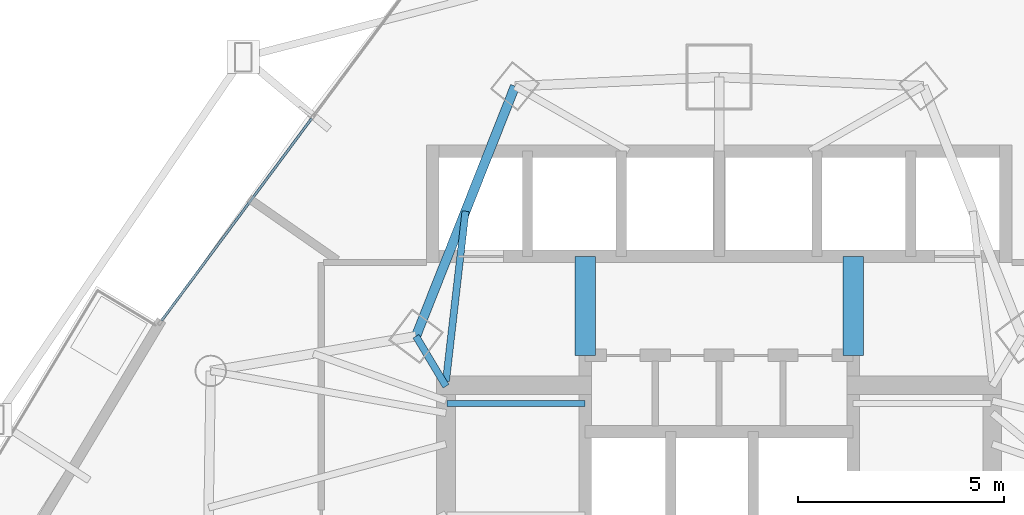
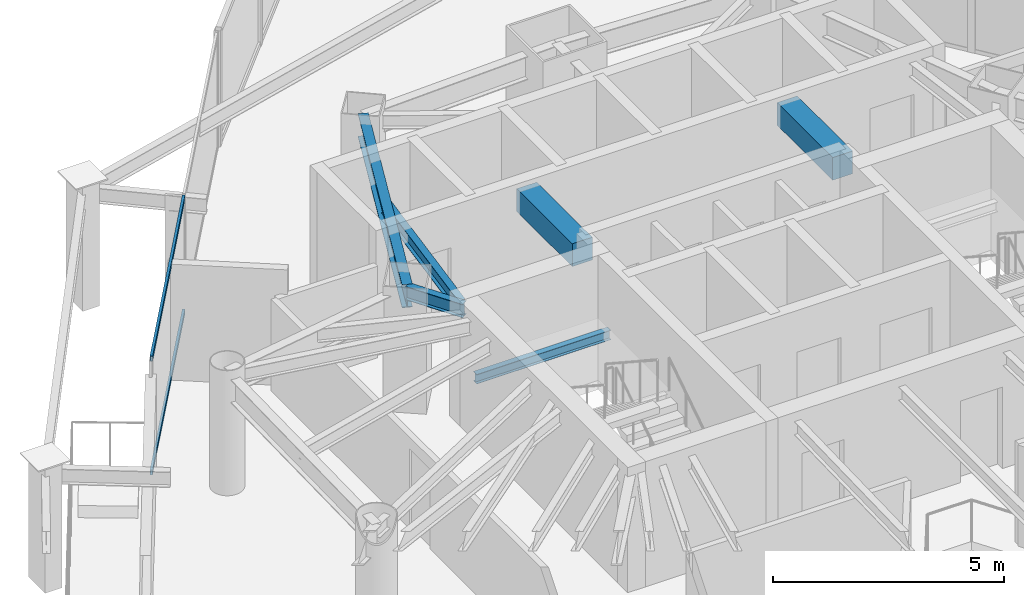
# One storey, part 20 of 33: 6 beams, 2 members, 1 element without a shape of its own.
"""IFC4 building model written with IfcOpenShell, lengths in metres."""

import ifcopenshell
import ifcopenshell.guid

model = None  # the IFC model being written
_history = None  # IfcOwnerHistory: only IFC2X3 demands one
_inside = {}  # id of a spatial element -> (the spatial element, [elements in it])
_under = {}  # id of a project, library or spatial element -> (it, [spatial elements below it])
_declared = {}  # id of a project -> (the project, [libraries it declares])
_typed = {}  # id of a type object -> (the type object, [elements of that type])
_made_of = {}  # id of a material, layer set ... -> (it, [elements and type objects made of it])


def new_model(schema):
    """Start an empty IFC model of exactly this schema.

    Asked for "IFC4X3", IfcOpenShell would pick the latest addendum, in which some entities
    have other attributes; the version numbers below select the first issue.
    IFC2X3 requires an IfcOwnerHistory on every rooted entity: one is made here for all.
    """
    global model, _history
    if schema == "IFC4X3":
        model = ifcopenshell.file(schema_version=(4, 3, 0, 0))
    else:
        model = ifcopenshell.file(schema=schema)
    _inside.clear()
    _under.clear()
    _declared.clear()
    _typed.clear()
    _made_of.clear()
    _history = None
    if model.schema == "IFC2X3":
        org = make("IfcOrganization", Name="unknown")
        user = make(
            "IfcPersonAndOrganization",
            ThePerson=make("IfcPerson", FamilyName="unknown"),
            TheOrganization=org,
        )
        app = make(
            "IfcApplication",
            ApplicationDeveloper=org,
            Version="unknown",
            ApplicationFullName="unknown",
            ApplicationIdentifier="unknown",
        )
        _history = make(
            "IfcOwnerHistory",
            OwningUser=user,
            OwningApplication=app,
            ChangeAction="ADDED",
            CreationDate=0,
        )
    return model


def make(cls, **values):
    """One entity of the class cls with the attributes given. An attribute that is None is left unset."""
    return model.create_entity(
        cls, **{name: value for name, value in values.items() if value is not None}
    )


def rooted(cls, **values):
    """An entity with a GlobalId (a new one), such as an element, a storey or a relation."""
    return make(cls, GlobalId=ifcopenshell.guid.new(), OwnerHistory=_history, **values)


def si_unit(unit_type, name, prefix=None):
    """IfcSIUnit, for example si_unit("LENGTHUNIT", "METRE", prefix="MILLI")."""
    return make("IfcSIUnit", UnitType=unit_type, Prefix=prefix, Name=name)


def assignment(units):
    """IfcUnitAssignment: the units of a project."""
    return None if units is None else make("IfcUnitAssignment", Units=units)


def point(xyz):
    """IfcCartesianPoint."""
    return None if xyz is None else make("IfcCartesianPoint", Coordinates=xyz)


def direction(xyz):
    """IfcDirection."""
    return None if xyz is None else make("IfcDirection", DirectionRatios=xyz)


def frame(location, z_axis=None, x_axis=None):
    """IfcAxis2Placement3D, a coordinate frame: its origin and axes. An axis left out is left unset."""
    return make(
        "IfcAxis2Placement3D",
        Location=point(location),
        Axis=direction(z_axis),
        RefDirection=direction(x_axis),
    )


def frame_2d(location, x_axis=None):
    """IfcAxis2Placement2D, a coordinate frame in the plane: its origin and x axis."""
    return make(
        "IfcAxis2Placement2D", Location=point(location), RefDirection=direction(x_axis)
    )


def origin():
    """The frame at (0, 0, 0) with its axes left unset."""
    return frame((0.0, 0.0, 0.0))


def origin_2d():
    """The frame at (0, 0) in the plane with its x axis left unset."""
    return frame_2d((0.0, 0.0))


def place(relative_to, where):
    """IfcLocalPlacement: puts the frame where relative to a parent placement (None: the world)."""
    return make(
        "IfcLocalPlacement", PlacementRelTo=relative_to, RelativePlacement=where
    )


def context(
    kind, dimensions, precision=None, world=None, true_north=None, identifier=None
):
    """IfcGeometricRepresentationContext, for example the 3D "Model" context."""
    return make(
        "IfcGeometricRepresentationContext",
        ContextIdentifier=identifier,
        ContextType=kind,
        CoordinateSpaceDimension=dimensions,
        Precision=precision,
        WorldCoordinateSystem=world,
        TrueNorth=true_north,
    )


def subcontext(parent, identifier, kind, view, scale=None):
    """IfcGeometricRepresentationSubContext, for example "Body" below "Model"."""
    return make(
        "IfcGeometricRepresentationSubContext",
        ContextIdentifier=identifier,
        ContextType=kind,
        ParentContext=parent,
        TargetScale=scale,
        TargetView=view,
    )


def project(units=None, contexts=None):
    """IfcProject with its units and contexts."""
    return rooted(
        "IfcProject",
        Name="project",
        RepresentationContexts=contexts,
        UnitsInContext=assignment(units),
    )


def spatial(cls, under=None, at=None, **own):
    """A site, building, storey or space (cls), placed at a placement, below another one or the project."""
    s = rooted(cls, ObjectPlacement=at, **own)
    if under is not None:
        _under.setdefault(under.id(), (under, []))[1].append(s)
    return s


def profile(cls, at=None, kind="AREA", **sizes):
    """A parametric profile (cls). Its sizes go by their IFC names, for example OverallWidth=200.0."""
    return make(cls, ProfileType=kind, Position=at, **sizes)


def rectangle(**sizes):
    """IfcRectangleProfileDef."""
    return profile("IfcRectangleProfileDef", **sizes)


def hollow_rectangle(**sizes):
    """IfcRectangleHollowProfileDef."""
    return profile("IfcRectangleHollowProfileDef", **sizes)


def i_section(**sizes):
    """IfcIShapeProfileDef."""
    return profile("IfcIShapeProfileDef", **sizes)


def extrude(swept, where, along, depth):
    """IfcExtrudedAreaSolid: the profile swept, set in the frame where, extruded along a direction by depth."""
    return make(
        "IfcExtrudedAreaSolid",
        SweptArea=swept,
        Position=where,
        ExtrudedDirection=direction(along),
        Depth=depth,
    )


def shape(context_of_items, identifier, shape_type, items):
    """IfcShapeRepresentation: the items that make up one representation, for example the "Body"."""
    return make(
        "IfcShapeRepresentation",
        ContextOfItems=context_of_items,
        RepresentationIdentifier=identifier,
        RepresentationType=shape_type,
        Items=items,
    )


def material(Name=None, Category=None):
    """IfcMaterial."""
    return make("IfcMaterial", Name=Name, Category=Category)


def layer(
    of_material, thickness, ventilated=None, Name=None, Category=None, Priority=None
):
    """IfcMaterialLayer: one layer of a wall or slab, of a material (None: an air gap)."""
    return make(
        "IfcMaterialLayer",
        Material=of_material,
        LayerThickness=thickness,
        IsVentilated=ventilated,
        Name=Name,
        Category=Category,
        Priority=Priority,
    )


def layer_set(layers, Name=None):
    """IfcMaterialLayerSet."""
    return make("IfcMaterialLayerSet", MaterialLayers=layers, LayerSetName=Name)


def material_profile(
    of_material, cross_section, Name=None, Category=None, Priority=None
):
    """IfcMaterialProfile: a cross section and its material."""
    return make(
        "IfcMaterialProfile",
        Name=Name,
        Material=of_material,
        Profile=cross_section,
        Priority=Priority,
        Category=Category,
    )


def profile_set(profiles, Name=None, composite=None):
    """IfcMaterialProfileSet."""
    return make(
        "IfcMaterialProfileSet",
        Name=Name,
        MaterialProfiles=profiles,
        CompositeProfile=composite,
    )


def made_of(thing, what):
    """Note that an element or type object is made of a material, layer set ...; save() writes the relation."""
    if what is not None:
        _made_of.setdefault(what.id(), (what, []))[1].append(thing)
    return thing


def type_object(cls, material=None, **own):
    """A type object (cls), such as IfcWallType, which elements share."""
    return made_of(rooted(cls, **own), material)


def element(
    cls,
    number,
    at=None,
    inside=None,
    cuts=None,
    type_object=None,
    material=None,
    context=None,
    identifier="Body",
    shape_type=None,
    held_by="IfcProductDefinitionShape",
    body=None,
    shapes=None,
    **own,
):
    """One element of the class cls, such as IfcWall. Its Tag is "e" and its number.

    at: its placement. inside: the storey or other place that contains it. cuts: it is an
    opening in that element (IfcRelVoidsElement). A single representation is given by context,
    identifier, shape_type and body (its items); several are given by shapes. held_by: the class
    of the entity that holds the representations. save() writes the other relations.
    """
    e = rooted(cls, Tag="e%d" % number, ObjectPlacement=at, **own)
    if body is not None:
        shapes = [shape(context, identifier, shape_type, body)]
    if shapes is not None:
        e.Representation = make(held_by, Representations=shapes)
    if inside is not None:
        _inside.setdefault(inside.id(), (inside, []))[1].append(e)
    if cuts is not None:
        rooted(
            "IfcRelVoidsElement", RelatingBuildingElement=cuts, RelatedOpeningElement=e
        )
    if type_object is not None:
        _typed.setdefault(type_object.id(), (type_object, []))[1].append(e)
    return made_of(e, material)


def aggregate(whole, parts):
    """IfcRelAggregates: a whole, such as a stair, and the parts it consists of."""
    return rooted("IfcRelAggregates", RelatingObject=whole, RelatedObjects=parts)


def save(model, path):
    """Write the relations noted so far, then the file.

    IfcRelAggregates (storeys below a building ...), IfcRelContainedInSpatialStructure (elements
    in a storey), IfcRelDefinesByType, IfcRelAssociatesMaterial and IfcRelDeclares: one each for
    every whole, place, type object, material and project.
    """
    for whole, parts in _under.values():
        aggregate(whole, parts)
    for where, things in _inside.values():
        rooted(
            "IfcRelContainedInSpatialStructure",
            RelatedElements=things,
            RelatingStructure=where,
        )
    for kind, things in _typed.values():
        rooted("IfcRelDefinesByType", RelatedObjects=things, RelatingType=kind)
    for what, things in _made_of.values():
        rooted("IfcRelAssociatesMaterial", RelatedObjects=things, RelatingMaterial=what)
    for by, libraries in _declared.values():
        rooted("IfcRelDeclares", RelatingContext=by, RelatedDefinitions=libraries)
    model.write(path)


model = new_model("IFC4")

# Units and contexts
model_context = context("Model", 3, precision=1e-05, world=origin(), true_north=direction((0.0, 1.0)))
body_context = subcontext(model_context, "Body", "Model", "MODEL_VIEW")
ifc_project = project(units=[si_unit("LENGTHUNIT", "METRE"), si_unit("AREAUNIT", "SQUARE_METRE"), si_unit("VOLUMEUNIT", "CUBIC_METRE"), si_unit("PLANEANGLEUNIT", "RADIAN"), si_unit("MASSUNIT", "GRAM", prefix="KILO")], contexts=[model_context])

# Site, building, storey
site_placement = place(None, origin())
site = spatial("IfcSite", under=ifc_project, at=site_placement, CompositionType="ELEMENT")
building_placement = place(site_placement, origin())
building = spatial("IfcBuilding", under=site, at=building_placement, Name="Orvanel Arch Residences", CompositionType="ELEMENT")
storey_placement = place(building_placement, frame((0.0, 0.0, 70.85009765625)))
storey = spatial("IfcBuildingStorey", under=building, at=storey_placement, Name="L19", CompositionType="ELEMENT", Elevation=70.85009765625)

# Beams
ifc_material_1 = material(Name="Structural steel AS/NZS 3679.1 Grade 300 (300 MPa)", Category="steel")
ifc_material_profile_1 = material_profile(ifc_material_1, i_section(OverallWidth=0.14599609375, OverallDepth=0.251953125, WebThickness=0.006103515625, FlangeThickness=0.008544921875, at=origin_2d()), Name="250UB31.4")
ifc_profile_set_1 = profile_set([ifc_material_profile_1], Name="Structural steel AS/NZS 3679.1 Grade 300 (300 MPa)")
beam_type_1 = type_object("IfcBeamType", Name="BJ-250UB", PredefinedType="JOIST", material=ifc_profile_set_1)
beam_1_placement = place(storey_placement, frame((26.39990234375, 33.47998046875, 1.323974609375), z_axis=(1.0, 0.0, 0.0), x_axis=(0.0, 1.0, 0.0)))
element("IfcBeam", 1, at=beam_1_placement, inside=storey, type_object=beam_type_1, Name="L19 ST-1 Half-Landing Support Beam 1.2", PredefinedType="JOIST", context=body_context, shape_type="SweptSolid", body=[
    extrude(i_section(OverallWidth=0.14599609375, OverallDepth=0.251953125, WebThickness=0.006103515625, FlangeThickness=0.008544921875, at=origin_2d()), origin(), (0.0, 0.0, 1.0), 3.35009765625),
])
ifc_material_profile_2 = material_profile(ifc_material_1, i_section(OverallWidth=0.1708984375, OverallDepth=0.35595703125, WebThickness=0.00732421875, FlangeThickness=0.011474609375, at=origin_2d()), Name="360UB50.7")
ifc_profile_set_2 = profile_set([ifc_material_profile_2], Name="Structural steel AS/NZS 3679.1 Grade 300 (300 MPa)")
beam_type_2 = type_object("IfcBeamType", Name="BJ-360UB", PredefinedType="JOIST", material=ifc_profile_set_2)
beam_2_placement = place(storey_placement, frame((26.375, 33.89990234375, 2.8818359375), z_axis=(-0.514064138778, 0.857751748015, 0.0), x_axis=(-0.857751748015, -0.514064138778, 0.0)))
element("IfcBeam", 2, at=beam_2_placement, inside=storey, type_object=beam_type_2, Name="L19 NNW Wing Floor Joist", PredefinedType="JOIST", context=body_context, shape_type="SweptSolid", body=[
    extrude(i_section(OverallWidth=0.1708984375, OverallDepth=0.35595703125, WebThickness=0.00732421875, FlangeThickness=0.011474609375, at=origin_2d()), origin(), (0.0, 0.0, 1.0), 1.414306640625),
])
beam_3_placement = place(storey_placement, frame((26.375, 34.02001953125, 2.8818359375), z_axis=(0.114186670431, 0.993459311847, 0.0), x_axis=(-0.993459311847, 0.114186670431, 0.0)))
element("IfcBeam", 3, at=beam_3_placement, inside=storey, type_object=beam_type_2, Name="L19 NNW2 Wing Floor Joist", PredefinedType="JOIST", context=body_context, shape_type="SweptSolid", body=[
    extrude(i_section(OverallWidth=0.1708984375, OverallDepth=0.35595703125, WebThickness=0.00732421875, FlangeThickness=0.011474609375, at=origin_2d()), origin(), (0.0, 0.0, 1.0), 4.152099609375),
])
ifc_material_2 = material(Name="Concrete S65 (65 MPa)", Category="concrete")
ifc_material_profile_3 = material_profile(ifc_material_2, rectangle(XDim=0.5, YDim=0.60009765625, at=origin_2d()), Name="RC500x600")
ifc_profile_set_3 = profile_set([ifc_material_profile_3], Name="Concrete S65 (65 MPa)")
beam_type_3 = type_object("IfcBeamType", Name="CB-500x600", PredefinedType="LINTEL", material=ifc_profile_set_3)
for number, where, z_axis, x_axis, name in (
    (4, (29.75, 34.64990234375, 2.760009765625), (0.0, 1.0, 0.0), (-1.0, 0.0, 0.0), "L19 West Core Lobby Coupling Lintel Beam"),
    (5, (36.25, 34.64990234375, 2.760009765625), (0.0, 1.0, 0.0), (-1.0, 0.0, 0.0), "L19 East Core Lobby Coupling Lintel Beam"),
):
    element("IfcBeam", number, at=place(storey_placement, frame(where, z_axis=z_axis, x_axis=x_axis)), inside=storey, type_object=beam_type_3, Name=name, PredefinedType="LINTEL", context=body_context, shape_type="SweptSolid", body=[
        extrude(rectangle(XDim=0.5, YDim=0.60009765625, at=origin_2d()), origin(), (0.0, 0.0, 1.0), 2.400146484375),
    ])
ifc_material_profile_4 = material_profile(ifc_material_1, i_section(OverallWidth=0.22900390625, OverallDepth=0.612060546875, WebThickness=0.011962890625, FlangeThickness=0.01953125, at=origin_2d()), Name="610UB125")
ifc_profile_set_4 = profile_set([ifc_material_profile_4], Name="Structural steel AS/NZS 3679.1 Grade 300 (300 MPa)")
beam_type_4 = type_object("IfcBeamType", Name="SP-610UB", PredefinedType="SPANDREL", material=ifc_profile_set_4)
beam_4_placement = place(storey_placement, frame((28.050048828125, 41.177978515625, 2.75390625), z_axis=(-0.368233143579, -0.929733484376, 0.0), x_axis=(0.929733484376, -0.368233143579, 0.0)))
element("IfcBeam", 6, at=beam_4_placement, inside=storey, type_object=beam_type_4, Name="L19 Perimeter Spandrel Beam 18", PredefinedType="SPANDREL", context=body_context, shape_type="SweptSolid", body=[
    extrude(i_section(OverallWidth=0.22900390625, OverallDepth=0.612060546875, WebThickness=0.011962890625, FlangeThickness=0.01953125, at=origin_2d()), origin(), (0.0, 0.0, 1.0), 6.523193359375),
])

# Curtain wall, members
ifc_material_3 = material(Name="Bronze-anodised aluminium AA6063-T6", Category="aluminium")
ifc_layer = layer(ifc_material_3, 0.179931640625)
ifc_layer_set = layer_set([ifc_layer], Name="Bronze-anodised aluminium AA6063-T6")
curtain_wall_type = type_object("IfcCurtainWallType", Name="CW2-LOW-SYS", PredefinedType="NOTDEFINED", material=ifc_layer_set)
curtain_wall_placement = place(storey_placement, origin())
curtain_wall = element("IfcCurtainWall", 7, at=curtain_wall_placement, inside=storey, type_object=curtain_wall_type, Name="L19 CW2-LOW-SYS Unitised Curtain Wall", PredefinedType="NOTDEFINED")
ifc_material_profile_5 = material_profile(ifc_material_3, hollow_rectangle(XDim=0.06005859375, YDim=0.135009765625, WallThickness=0.00390625, at=origin_2d()), Name="ALU135x60x4")
ifc_profile_set_5 = profile_set([ifc_material_profile_5], Name="Bronze-anodised aluminium AA6063-T6")
member_type = type_object("IfcMemberType", Name="TRN-135x60", PredefinedType="USERDEFINED", material=ifc_profile_set_5)
member_1_placement = place(storey_placement, frame((23.1171875, 40.393798828125, 0.02978515625), z_axis=(-0.596008244944, -0.802978313505, 0.0), x_axis=(0.802978313505, -0.596008244944, 0.0)))
member_1 = element("IfcMember", 8, at=member_1_placement, type_object=member_type, Name="CW-S2 transom 2.1", ObjectType="TRANSOM", PredefinedType="USERDEFINED", context=body_context, shape_type="SweptSolid", body=[
    extrude(hollow_rectangle(XDim=0.06005859375, YDim=0.135009765625, WallThickness=0.00390625, at=origin_2d()), origin(), (0.0, 0.0, 1.0), 6.10791015625),
])
member_2_placement = place(storey_placement, frame((23.1171875, 40.393798828125, 3.02978515625), z_axis=(-0.596008244944, -0.802978313505, 0.0), x_axis=(0.802978313505, -0.596008244944, 0.0)))
member_2 = element("IfcMember", 9, at=member_2_placement, type_object=member_type, Name="CW-S2 transom 2.2", ObjectType="TRANSOM", PredefinedType="USERDEFINED", context=body_context, shape_type="SweptSolid", body=[
    extrude(hollow_rectangle(XDim=0.06005859375, YDim=0.135009765625, WallThickness=0.00390625, at=origin_2d()), origin(), (0.0, 0.0, 1.0), 6.10791015625),
])
aggregate(curtain_wall, [member_1, member_2])

save(model, "model.ifc")
